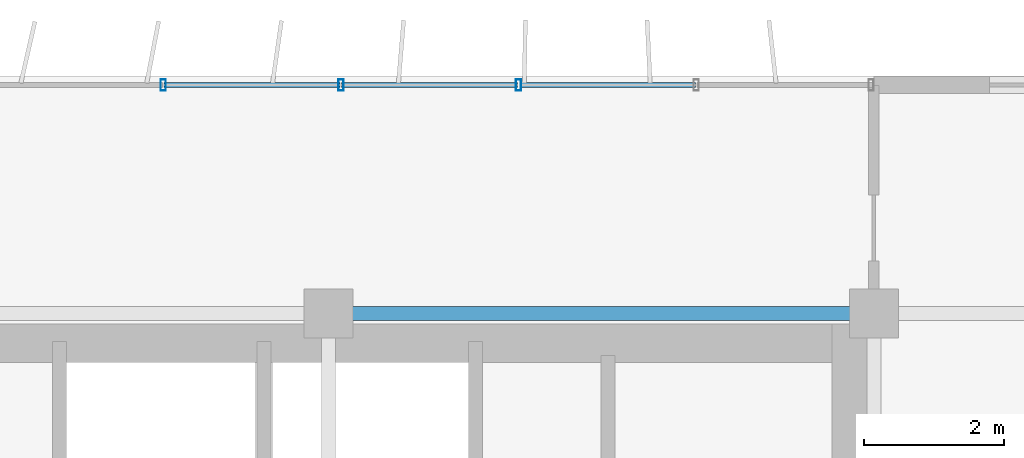
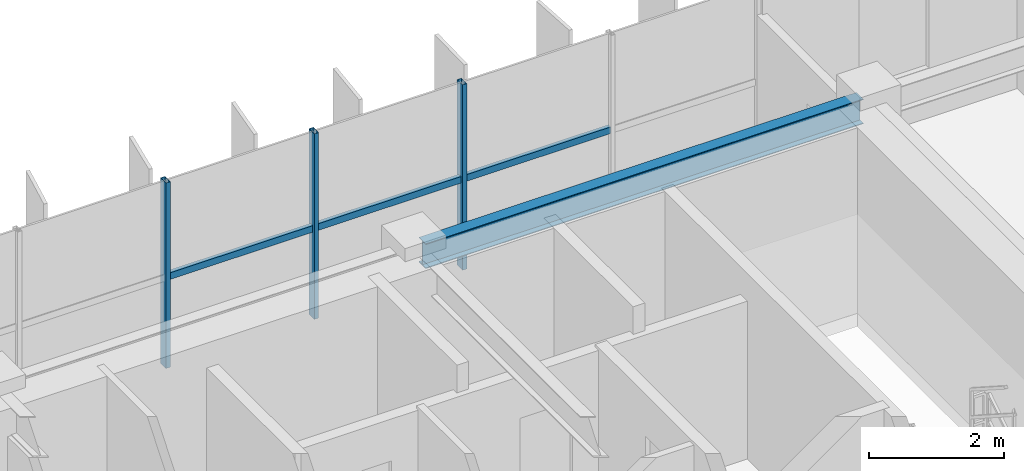
# One storey, part 23 of 35: 6 members, 1 beam, 1 element without a shape of its own.
"""IFC4 building model written with IfcOpenShell, lengths in metres."""

import ifcopenshell
import ifcopenshell.guid

model = None  # the IFC model being written
_history = None  # IfcOwnerHistory: only IFC2X3 demands one
_inside = {}  # id of a spatial element -> (the spatial element, [elements in it])
_under = {}  # id of a project, library or spatial element -> (it, [spatial elements below it])
_declared = {}  # id of a project -> (the project, [libraries it declares])
_typed = {}  # id of a type object -> (the type object, [elements of that type])
_made_of = {}  # id of a material, layer set ... -> (it, [elements and type objects made of it])


def new_model(schema):
    """Start an empty IFC model of exactly this schema.

    Asked for "IFC4X3", IfcOpenShell would pick the latest addendum, in which some entities
    have other attributes; the version numbers below select the first issue.
    IFC2X3 requires an IfcOwnerHistory on every rooted entity: one is made here for all.
    """
    global model, _history
    if schema == "IFC4X3":
        model = ifcopenshell.file(schema_version=(4, 3, 0, 0))
    else:
        model = ifcopenshell.file(schema=schema)
    _inside.clear()
    _under.clear()
    _declared.clear()
    _typed.clear()
    _made_of.clear()
    _history = None
    if model.schema == "IFC2X3":
        org = make("IfcOrganization", Name="unknown")
        user = make(
            "IfcPersonAndOrganization",
            ThePerson=make("IfcPerson", FamilyName="unknown"),
            TheOrganization=org,
        )
        app = make(
            "IfcApplication",
            ApplicationDeveloper=org,
            Version="unknown",
            ApplicationFullName="unknown",
            ApplicationIdentifier="unknown",
        )
        _history = make(
            "IfcOwnerHistory",
            OwningUser=user,
            OwningApplication=app,
            ChangeAction="ADDED",
            CreationDate=0,
        )
    return model


def make(cls, **values):
    """One entity of the class cls with the attributes given. An attribute that is None is left unset."""
    return model.create_entity(
        cls, **{name: value for name, value in values.items() if value is not None}
    )


def rooted(cls, **values):
    """An entity with a GlobalId (a new one), such as an element, a storey or a relation."""
    return make(cls, GlobalId=ifcopenshell.guid.new(), OwnerHistory=_history, **values)


def si_unit(unit_type, name, prefix=None):
    """IfcSIUnit, for example si_unit("LENGTHUNIT", "METRE", prefix="MILLI")."""
    return make("IfcSIUnit", UnitType=unit_type, Prefix=prefix, Name=name)


def assignment(units):
    """IfcUnitAssignment: the units of a project."""
    return None if units is None else make("IfcUnitAssignment", Units=units)


def point(xyz):
    """IfcCartesianPoint."""
    return None if xyz is None else make("IfcCartesianPoint", Coordinates=xyz)


def direction(xyz):
    """IfcDirection."""
    return None if xyz is None else make("IfcDirection", DirectionRatios=xyz)


def frame(location, z_axis=None, x_axis=None):
    """IfcAxis2Placement3D, a coordinate frame: its origin and axes. An axis left out is left unset."""
    return make(
        "IfcAxis2Placement3D",
        Location=point(location),
        Axis=direction(z_axis),
        RefDirection=direction(x_axis),
    )


def frame_2d(location, x_axis=None):
    """IfcAxis2Placement2D, a coordinate frame in the plane: its origin and x axis."""
    return make(
        "IfcAxis2Placement2D", Location=point(location), RefDirection=direction(x_axis)
    )


def origin():
    """The frame at (0, 0, 0) with its axes left unset."""
    return frame((0.0, 0.0, 0.0))


def origin_2d():
    """The frame at (0, 0) in the plane with its x axis left unset."""
    return frame_2d((0.0, 0.0))


def place(relative_to, where):
    """IfcLocalPlacement: puts the frame where relative to a parent placement (None: the world)."""
    return make(
        "IfcLocalPlacement", PlacementRelTo=relative_to, RelativePlacement=where
    )


def context(
    kind, dimensions, precision=None, world=None, true_north=None, identifier=None
):
    """IfcGeometricRepresentationContext, for example the 3D "Model" context."""
    return make(
        "IfcGeometricRepresentationContext",
        ContextIdentifier=identifier,
        ContextType=kind,
        CoordinateSpaceDimension=dimensions,
        Precision=precision,
        WorldCoordinateSystem=world,
        TrueNorth=true_north,
    )


def subcontext(parent, identifier, kind, view, scale=None):
    """IfcGeometricRepresentationSubContext, for example "Body" below "Model"."""
    return make(
        "IfcGeometricRepresentationSubContext",
        ContextIdentifier=identifier,
        ContextType=kind,
        ParentContext=parent,
        TargetScale=scale,
        TargetView=view,
    )


def project(units=None, contexts=None):
    """IfcProject with its units and contexts."""
    return rooted(
        "IfcProject",
        Name="project",
        RepresentationContexts=contexts,
        UnitsInContext=assignment(units),
    )


def spatial(cls, under=None, at=None, **own):
    """A site, building, storey or space (cls), placed at a placement, below another one or the project."""
    s = rooted(cls, ObjectPlacement=at, **own)
    if under is not None:
        _under.setdefault(under.id(), (under, []))[1].append(s)
    return s


def profile(cls, at=None, kind="AREA", **sizes):
    """A parametric profile (cls). Its sizes go by their IFC names, for example OverallWidth=200.0."""
    return make(cls, ProfileType=kind, Position=at, **sizes)


def hollow_rectangle(**sizes):
    """IfcRectangleHollowProfileDef."""
    return profile("IfcRectangleHollowProfileDef", **sizes)


def i_section(**sizes):
    """IfcIShapeProfileDef."""
    return profile("IfcIShapeProfileDef", **sizes)


def extrude(swept, where, along, depth):
    """IfcExtrudedAreaSolid: the profile swept, set in the frame where, extruded along a direction by depth."""
    return make(
        "IfcExtrudedAreaSolid",
        SweptArea=swept,
        Position=where,
        ExtrudedDirection=direction(along),
        Depth=depth,
    )


def shape(context_of_items, identifier, shape_type, items):
    """IfcShapeRepresentation: the items that make up one representation, for example the "Body"."""
    return make(
        "IfcShapeRepresentation",
        ContextOfItems=context_of_items,
        RepresentationIdentifier=identifier,
        RepresentationType=shape_type,
        Items=items,
    )


def source(mapping_origin, context_of_items, identifier, shape_type, items):
    """IfcRepresentationMap: a shape defined once, which mapped items show again and again."""
    return make(
        "IfcRepresentationMap",
        MappingOrigin=mapping_origin,
        MappedRepresentation=shape(context_of_items, identifier, shape_type, items),
    )


def transform(
    local_origin,
    x_axis=None,
    y_axis=None,
    z_axis=None,
    scale=None,
    scale2=None,
    scale3=None,
    uniform=True,
):
    """IfcCartesianTransformationOperator3D, or its non-uniform kind. x_axis, y_axis, z_axis: its Axis1, 2, 3."""
    if uniform:
        return make(
            "IfcCartesianTransformationOperator3D",
            Axis1=direction(x_axis),
            Axis2=direction(y_axis),
            LocalOrigin=point(local_origin),
            Scale=scale,
            Axis3=direction(z_axis),
        )
    return make(
        "IfcCartesianTransformationOperator3DnonUniform",
        Axis1=direction(x_axis),
        Axis2=direction(y_axis),
        LocalOrigin=point(local_origin),
        Scale=scale,
        Axis3=direction(z_axis),
        Scale2=scale2,
        Scale3=scale3,
    )


def mapped(mapping_source, mapping_target):
    """IfcMappedItem: shows the shape of a source again, moved by a transform."""
    return make(
        "IfcMappedItem", MappingSource=mapping_source, MappingTarget=mapping_target
    )


def material(Name=None, Category=None):
    """IfcMaterial."""
    return make("IfcMaterial", Name=Name, Category=Category)


def material_profile(
    of_material, cross_section, Name=None, Category=None, Priority=None
):
    """IfcMaterialProfile: a cross section and its material."""
    return make(
        "IfcMaterialProfile",
        Name=Name,
        Material=of_material,
        Profile=cross_section,
        Priority=Priority,
        Category=Category,
    )


def profile_set(profiles, Name=None, composite=None):
    """IfcMaterialProfileSet."""
    return make(
        "IfcMaterialProfileSet",
        Name=Name,
        MaterialProfiles=profiles,
        CompositeProfile=composite,
    )


def made_of(thing, what):
    """Note that an element or type object is made of a material, layer set ...; save() writes the relation."""
    if what is not None:
        _made_of.setdefault(what.id(), (what, []))[1].append(thing)
    return thing


def type_object(cls, material=None, **own):
    """A type object (cls), such as IfcWallType, which elements share."""
    return made_of(rooted(cls, **own), material)


def element(
    cls,
    number,
    at=None,
    inside=None,
    cuts=None,
    type_object=None,
    material=None,
    context=None,
    identifier="Body",
    shape_type=None,
    held_by="IfcProductDefinitionShape",
    body=None,
    shapes=None,
    **own,
):
    """One element of the class cls, such as IfcWall. Its Tag is "e" and its number.

    at: its placement. inside: the storey or other place that contains it. cuts: it is an
    opening in that element (IfcRelVoidsElement). A single representation is given by context,
    identifier, shape_type and body (its items); several are given by shapes. held_by: the class
    of the entity that holds the representations. save() writes the other relations.
    """
    e = rooted(cls, Tag="e%d" % number, ObjectPlacement=at, **own)
    if body is not None:
        shapes = [shape(context, identifier, shape_type, body)]
    if shapes is not None:
        e.Representation = make(held_by, Representations=shapes)
    if inside is not None:
        _inside.setdefault(inside.id(), (inside, []))[1].append(e)
    if cuts is not None:
        rooted(
            "IfcRelVoidsElement", RelatingBuildingElement=cuts, RelatedOpeningElement=e
        )
    if type_object is not None:
        _typed.setdefault(type_object.id(), (type_object, []))[1].append(e)
    return made_of(e, material)


def aggregate(whole, parts):
    """IfcRelAggregates: a whole, such as a stair, and the parts it consists of."""
    return rooted("IfcRelAggregates", RelatingObject=whole, RelatedObjects=parts)


def save(model, path):
    """Write the relations noted so far, then the file.

    IfcRelAggregates (storeys below a building ...), IfcRelContainedInSpatialStructure (elements
    in a storey), IfcRelDefinesByType, IfcRelAssociatesMaterial and IfcRelDeclares: one each for
    every whole, place, type object, material and project.
    """
    for whole, parts in _under.values():
        aggregate(whole, parts)
    for where, things in _inside.values():
        rooted(
            "IfcRelContainedInSpatialStructure",
            RelatedElements=things,
            RelatingStructure=where,
        )
    for kind, things in _typed.values():
        rooted("IfcRelDefinesByType", RelatedObjects=things, RelatingType=kind)
    for what, things in _made_of.values():
        rooted("IfcRelAssociatesMaterial", RelatedObjects=things, RelatingMaterial=what)
    for by, libraries in _declared.values():
        rooted("IfcRelDeclares", RelatingContext=by, RelatedDefinitions=libraries)
    model.write(path)


model = new_model("IFC4")

# Units and contexts
model_context = context("Model", 3, precision=1e-05, world=origin(), true_north=direction((0.0, 1.0)))
body_context = subcontext(model_context, "Body", "Model", "MODEL_VIEW")
ifc_project = project(units=[si_unit("LENGTHUNIT", "METRE"), si_unit("AREAUNIT", "SQUARE_METRE"), si_unit("VOLUMEUNIT", "CUBIC_METRE"), si_unit("PLANEANGLEUNIT", "RADIAN"), si_unit("MASSUNIT", "GRAM", prefix="KILO")], contexts=[model_context])

# Site, building, storey
site_placement = place(None, origin())
site = spatial("IfcSite", under=ifc_project, at=site_placement, CompositionType="ELEMENT")
building_placement = place(site_placement, origin())
building = spatial("IfcBuilding", under=site, at=building_placement, Name="Trelvane Seafront Commons", CompositionType="ELEMENT")
storey_placement = place(building_placement, frame((0.0, 0.0, 194.10009765625)))
storey = spatial("IfcBuildingStorey", under=building, at=storey_placement, Name="L50", CompositionType="ELEMENT", Elevation=194.10009765625)

# Beam
ifc_material_1 = material(Name="Steel SM355 (S355)", Category="steel")
ifc_material_profile_1 = material_profile(ifc_material_1, i_section(OverallWidth=0.199951171875, OverallDepth=0.449951171875, WebThickness=0.009033203125, FlangeThickness=0.013916015625, at=origin_2d()), Name="H-450x200x9x14")
ifc_profile_set_1 = profile_set([ifc_material_profile_1], Name="Steel SM355 (S355)")
beam_type = type_object("IfcBeamType", Name="STR-SPD-H450", PredefinedType="SPANDREL", material=ifc_profile_set_1)
shared_shape_1 = source(origin(), body_context, "Body", "SweptSolid", [
    extrude(i_section(OverallWidth=0.199951171875, OverallDepth=0.449951171875, WebThickness=0.009033203125, FlangeThickness=0.013916015625, at=origin_2d()), origin(), (0.0, 0.0, 1.0), 7.5),
])
beam_placement = place(storey_placement, frame((51.14990234375, 45.10009765625, 3.135009765625), z_axis=(1.0, 0.0, 0.0), x_axis=(0.0, 1.0, 0.0)))
element("IfcBeam", 1, at=beam_placement, inside=storey, type_object=beam_type, Name="L50 Primary Girder G-27", PredefinedType="SPANDREL", context=body_context, shape_type="MappedRepresentation", body=[
    mapped(shared_shape_1, transform((0.0, 0.0, 0.0), x_axis=(1.0, 0.0, 0.0), y_axis=(0.0, 1.0, 0.0), z_axis=(0.0, 0.0, 1.0), scale=1.0)),
])

# Curtain wall, members
ifc_material_2 = material(Name="Anodised pale-silver aluminium", Category="aluminium")
curtain_wall_type = type_object("IfcCurtainWallType", Name="ARCH-CW5-UPTOWER", PredefinedType="NOTDEFINED", material=ifc_material_2)
curtain_wall_placement = place(storey_placement, origin())
curtain_wall = element("IfcCurtainWall", 2, at=curtain_wall_placement, inside=storey, type_object=curtain_wall_type, Name="CW-L50-0078", PredefinedType="NOTDEFINED")
ifc_material_profile_2 = material_profile(ifc_material_2, hollow_rectangle(XDim=0.070068359375, YDim=0.1201171875, WallThickness=0.00390625, at=origin_2d()), Name="TRAN-70x120x4")
ifc_profile_set_2 = profile_set([ifc_material_profile_2], Name="Anodised pale-silver aluminium")
member_type_1 = type_object("IfcMemberType", Name="ARCH-CW-TRAN-120", PredefinedType="USERDEFINED", material=ifc_profile_set_2)
shared_shape_2 = source(origin(), body_context, "Body", "SweptSolid", [
    extrude(hollow_rectangle(XDim=0.070068359375, YDim=0.1201171875, WallThickness=0.00390625, at=origin_2d()), origin(), (0.0, 0.0, 1.0), 2.51708984375),
])
member_1_placement = place(storey_placement, frame((51.1884765625, 48.3701171875, 1.61279296875), z_axis=(1.0, 0.0, 0.0), x_axis=(0.0, 1.0, 0.0)))
member_1 = element("IfcMember", 3, at=member_1_placement, type_object=member_type_1, Name="CW-L50-0078-T14", ObjectType="TRANSOM", PredefinedType="USERDEFINED", context=body_context, shape_type="MappedRepresentation", body=[
    mapped(shared_shape_2, transform((0.0, 0.0, 0.0), x_axis=(1.0, 0.0, 0.0), y_axis=(0.0, 1.0, 0.0), z_axis=(0.0, 0.0, 1.0), scale=1.0)),
])
shared_shape_3 = source(origin(), body_context, "Body", "SweptSolid", [
    extrude(hollow_rectangle(XDim=0.070068359375, YDim=0.1201171875, WallThickness=0.00390625, at=origin_2d()), origin(), (0.0, 0.0, 1.0), 2.517333984375),
])
member_2_placement = place(storey_placement, frame((48.647216796875, 48.3701171875, 1.61279296875), z_axis=(1.0, 0.0, 0.0), x_axis=(0.0, 1.0, 0.0)))
member_2 = element("IfcMember", 4, at=member_2_placement, type_object=member_type_1, Name="CW-L50-0078-T13", ObjectType="TRANSOM", PredefinedType="USERDEFINED", context=body_context, shape_type="MappedRepresentation", body=[
    mapped(shared_shape_3, transform((0.0, 0.0, 0.0), x_axis=(1.0, 0.0, 0.0), y_axis=(0.0, 1.0, 0.0), z_axis=(0.0, 0.0, 1.0), scale=1.0)),
])
member_3_placement = place(storey_placement, frame((53.7294921875, 48.3701171875, 1.61279296875), z_axis=(1.0, 0.0, 0.0), x_axis=(0.0, 1.0, 0.0)))
member_3 = element("IfcMember", 5, at=member_3_placement, type_object=member_type_1, Name="CW-L50-0078-T15", ObjectType="TRANSOM", PredefinedType="USERDEFINED", context=body_context, shape_type="MappedRepresentation", body=[
    mapped(shared_shape_3, transform((0.0, 0.0, 0.0), x_axis=(1.0, 0.0, 0.0), y_axis=(0.0, 1.0, 0.0), z_axis=(0.0, 0.0, 1.0), scale=1.0)),
])
ifc_material_profile_3 = material_profile(ifc_material_2, hollow_rectangle(XDim=0.074951171875, YDim=0.159912109375, WallThickness=0.00390625, at=origin_2d()), Name="MULL-75x160x4")
ifc_profile_set_3 = profile_set([ifc_material_profile_3], Name="Anodised pale-silver aluminium")
member_type_2 = type_object("IfcMemberType", Name="ARCH-CW-MULL-160", PredefinedType="MULLION", material=ifc_profile_set_3)
shared_shape_4 = source(origin(), body_context, "Body", "SweptSolid", [
    extrude(hollow_rectangle(XDim=0.074951171875, YDim=0.159912109375, WallThickness=0.00390625, at=origin_2d()), origin(), (0.0, 0.0, 1.0), 3.35986328125),
])
member_4_placement = place(storey_placement, frame((48.63525390625, 48.3701171875, 0.0), z_axis=(0.0, 0.0, 1.0), x_axis=(1.0, 0.0, 0.0)))
member_4 = element("IfcMember", 6, at=member_4_placement, type_object=member_type_2, Name="CW-L50-0078-M13", PredefinedType="MULLION", context=body_context, shape_type="MappedRepresentation", body=[
    mapped(shared_shape_4, transform((0.0, 0.0, 0.0), x_axis=(1.0, 0.0, 0.0), y_axis=(0.0, 1.0, 0.0), z_axis=(0.0, 0.0, 1.0), scale=1.0)),
])
member_5_placement = place(storey_placement, frame((51.176513671875, 48.3701171875, 0.0), z_axis=(0.0, 0.0, 1.0), x_axis=(1.0, 0.0, 0.0)))
member_5 = element("IfcMember", 7, at=member_5_placement, type_object=member_type_2, Name="CW-L50-0078-M14", PredefinedType="MULLION", context=body_context, shape_type="MappedRepresentation", body=[
    mapped(shared_shape_4, transform((0.0, 0.0, 0.0), x_axis=(1.0, 0.0, 0.0), y_axis=(0.0, 1.0, 0.0), z_axis=(0.0, 0.0, 1.0), scale=1.0)),
])
member_6_placement = place(storey_placement, frame((53.717529296875, 48.3701171875, 0.0), z_axis=(0.0, 0.0, 1.0), x_axis=(1.0, 0.0, 0.0)))
member_6 = element("IfcMember", 8, at=member_6_placement, type_object=member_type_2, Name="CW-L50-0078-M15", PredefinedType="MULLION", context=body_context, shape_type="MappedRepresentation", body=[
    mapped(shared_shape_4, transform((0.0, 0.0, 0.0), x_axis=(1.0, 0.0, 0.0), y_axis=(0.0, 1.0, 0.0), z_axis=(0.0, 0.0, 1.0), scale=1.0)),
])
aggregate(curtain_wall, [member_4, member_5, member_6, member_2, member_1, member_3])

save(model, "model.ifc")
